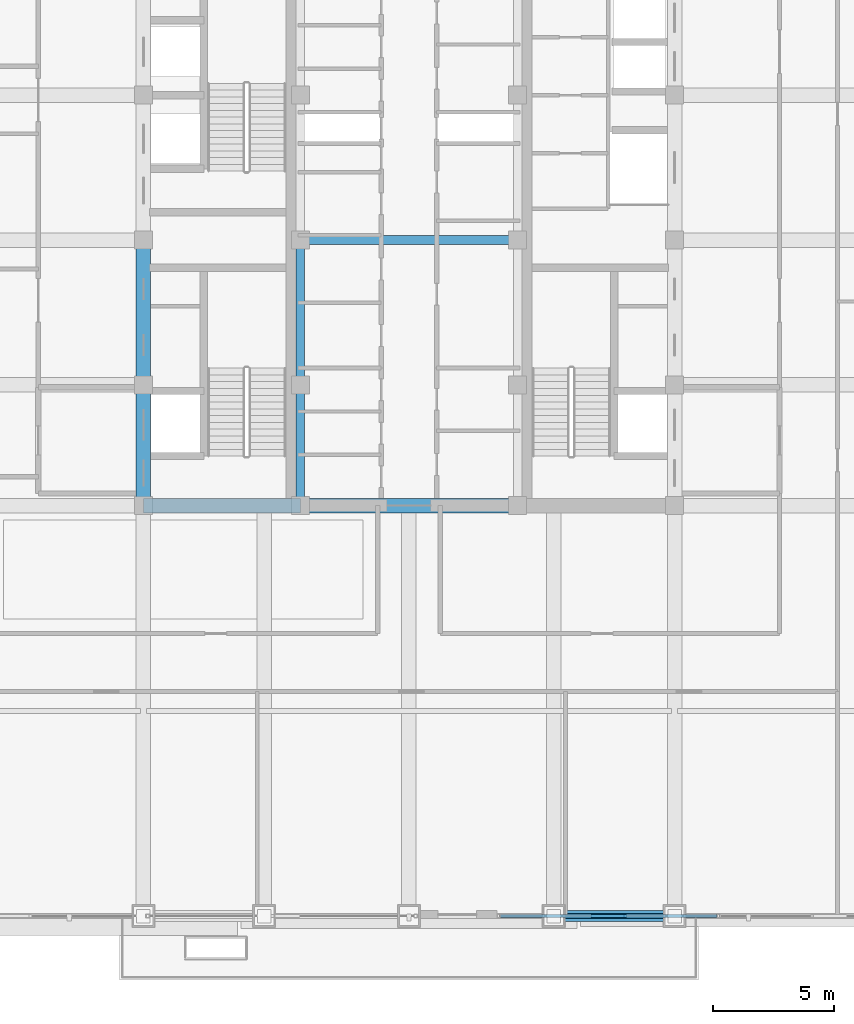
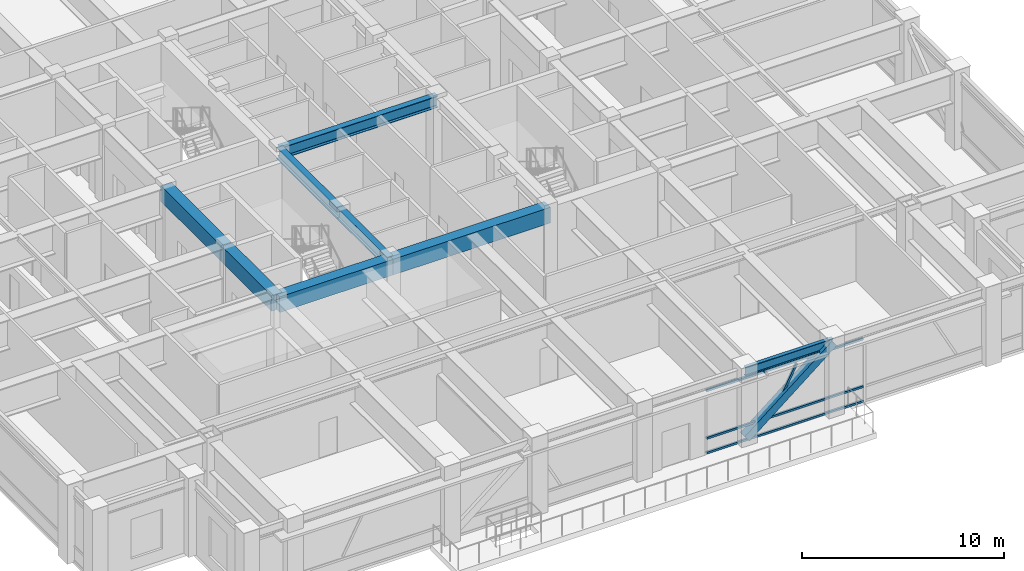
# One storey, part 7 of 31: 8 beams, 5 members, 1 element without a shape of its own.
"""IFC4 building model written with IfcOpenShell, lengths in metres."""

from ifc_helpers import new_model, si_unit, direction, frame, origin, origin_2d, place, context, subcontext, project, spatial, rectangle, hollow_rectangle, i_section, extrude, source, transform, mapped, material, material_profile, profile_set, type_object, element, aggregate, save


model = new_model("IFC4")

# Units and contexts
model_context = context("Model", 3, precision=1e-05, world=origin(), true_north=direction((0.0, 1.0)))
body_context = subcontext(model_context, "Body", "Model", "MODEL_VIEW")
ifc_project = project(units=[si_unit("LENGTHUNIT", "METRE"), si_unit("AREAUNIT", "SQUARE_METRE"), si_unit("VOLUMEUNIT", "CUBIC_METRE"), si_unit("PLANEANGLEUNIT", "RADIAN"), si_unit("MASSUNIT", "GRAM", prefix="KILO")], contexts=[model_context])

# Site, building, storey
site_placement = place(None, origin())
site = spatial("IfcSite", under=ifc_project, at=site_placement, CompositionType="ELEMENT")
building_placement = place(site_placement, origin())
building = spatial("IfcBuilding", under=site, at=building_placement, Name="Khorayat Bourse Tower", CompositionType="ELEMENT")
storey_placement = place(building_placement, frame((0.0, 0.0, 321.5)))
storey = spatial("IfcBuildingStorey", under=building, at=storey_placement, Name="L76", CompositionType="ELEMENT", Elevation=321.5)

# Beams
ifc_material_1 = material(Name="Steel ASTM A992 Grade 50", Category="steel")
ifc_material_profile_1 = material_profile(ifc_material_1, i_section(OverallWidth=0.35498046875, OverallDepth=0.695068359375, WebThickness=0.015380859375, FlangeThickness=0.02490234375, FilletRadius=0.01806640625, at=origin_2d()), Name="W690X217")
ifc_profile_set_1 = profile_set([ifc_material_profile_1], Name="Steel ASTM A992 Grade 50")
beam_type_1 = type_object("IfcBeamType", Name="BM-GIRD-690", PredefinedType="BEAM", material=ifc_profile_set_1)
shared_shape_1 = source(origin(), body_context, "Body", "SweptSolid", [
    extrude(i_section(OverallWidth=0.35498046875, OverallDepth=0.695068359375, WebThickness=0.015380859375, FlangeThickness=0.02490234375, FilletRadius=0.01806640625, at=origin_2d()), origin(), (0.0, 0.0, 1.0), 5.0),
])
beam_1_placement = place(storey_placement, frame((-4.5, -11.0, 4.1923828125), z_axis=(0.0, 1.0, 0.0), x_axis=(-1.0, 0.0, 0.0)))
element("IfcBeam", 1, at=beam_1_placement, inside=storey, type_object=beam_type_1, Name="L76 BM-GIRD-690 BM-L76-CRX-05", PredefinedType="BEAM", context=body_context, shape_type="MappedRepresentation", body=[
    mapped(shared_shape_1, transform((0.0, 0.0, 0.0), scale=1.0)),
])
shared_shape_2 = source(origin(), body_context, "Body", "SweptSolid", [
    extrude(i_section(OverallWidth=0.35498046875, OverallDepth=0.695068359375, WebThickness=0.015380859375, FlangeThickness=0.02490234375, FilletRadius=0.01806640625, at=origin_2d()), origin(), (0.0, 0.0, 1.0), 6.0),
])
beam_2_placement = place(storey_placement, frame((-4.5, -6.0, 4.1923828125), z_axis=(0.0, 1.0, 0.0), x_axis=(-1.0, 0.0, 0.0)))
element("IfcBeam", 2, at=beam_2_placement, inside=storey, type_object=beam_type_1, Name="L76 BM-GIRD-690 BM-L76-CRX-06", PredefinedType="BEAM", context=body_context, shape_type="MappedRepresentation", body=[
    mapped(shared_shape_2, transform((0.0, 0.0, 0.0), scale=1.0)),
])
shared_shape_3 = source(origin(), body_context, "Body", "SweptSolid", [
    extrude(i_section(OverallWidth=0.35498046875, OverallDepth=0.695068359375, WebThickness=0.015380859375, FlangeThickness=0.02490234375, FilletRadius=0.01806640625, at=origin_2d()), origin(), (0.0, 0.0, 1.0), 9.0),
])
beam_3_placement = place(storey_placement, frame((-4.5, 0.0, 4.1923828125), z_axis=(1.0, 0.0, 0.0), x_axis=(0.0, 1.0, 0.0)))
element("IfcBeam", 3, at=beam_3_placement, inside=storey, type_object=beam_type_1, Name="L76 BM-GIRD-690 BM-L76-CRY-23", PredefinedType="BEAM", context=body_context, shape_type="MappedRepresentation", body=[
    mapped(shared_shape_3, transform((0.0, 0.0, 0.0), scale=1.0)),
])
ifc_material_2 = material(Name="Concrete C60/75", Category="concrete")
ifc_material_profile_2 = material_profile(ifc_material_2, rectangle(XDim=0.60009765625, YDim=0.949951171875, at=origin_2d()), Name="RC 600x950")
ifc_profile_set_2 = profile_set([ifc_material_profile_2], Name="Concrete C60/75")
beam_type_2 = type_object("IfcBeamType", Name="BM-COUP-950", PredefinedType="BEAM", material=ifc_profile_set_2)
shared_shape_4 = source(origin(), body_context, "Body", "SweptSolid", [
    extrude(rectangle(XDim=0.60009765625, YDim=0.949951171875, at=origin_2d()), origin(), (0.0, 0.0, 1.0), 5.0),
])
beam_4_placement = place(storey_placement, frame((-11.0, -11.0, 4.06494140625), z_axis=(0.0, 1.0, 0.0), x_axis=(-1.0, 0.0, 0.0)))
element("IfcBeam", 4, at=beam_4_placement, inside=storey, type_object=beam_type_2, Name="L76 BM-COUP-950 BM-L76-CRX-01", PredefinedType="BEAM", context=body_context, shape_type="MappedRepresentation", body=[
    mapped(shared_shape_4, transform((0.0, 0.0, 0.0), scale=1.0)),
])
shared_shape_5 = source(origin(), body_context, "Body", "SweptSolid", [
    extrude(rectangle(XDim=0.60009765625, YDim=0.949951171875, at=origin_2d()), origin(), (0.0, 0.0, 1.0), 6.0),
])
beam_5_placement = place(storey_placement, frame((-11.0, -6.0, 4.06494140625), z_axis=(0.0, 1.0, 0.0), x_axis=(-1.0, 0.0, 0.0)))
element("IfcBeam", 5, at=beam_5_placement, inside=storey, type_object=beam_type_2, Name="L76 BM-COUP-950 BM-L76-CRX-02", PredefinedType="BEAM", context=body_context, shape_type="MappedRepresentation", body=[
    mapped(shared_shape_5, transform((0.0, 0.0, 0.0), scale=1.0)),
])
shared_shape_6 = source(origin(), body_context, "Body", "SweptSolid", [
    extrude(rectangle(XDim=0.60009765625, YDim=0.949951171875, at=origin_2d()), origin(), (0.0, 0.0, 1.0), 6.5),
])
beam_6_placement = place(storey_placement, frame((-11.0, -11.0, 4.06494140625), z_axis=(1.0, 0.0, 0.0), x_axis=(0.0, 1.0, 0.0)))
element("IfcBeam", 6, at=beam_6_placement, inside=storey, type_object=beam_type_2, Name="L76 BM-COUP-950 BM-L76-CRY-17", PredefinedType="BEAM", context=body_context, shape_type="MappedRepresentation", body=[
    mapped(shared_shape_6, transform((0.0, 0.0, 0.0), scale=1.0)),
])
shared_shape_7 = source(origin(), body_context, "Body", "SweptSolid", [
    extrude(rectangle(XDim=0.60009765625, YDim=0.949951171875, at=origin_2d()), origin(), (0.0, 0.0, 1.0), 9.0),
])
beam_7_placement = place(storey_placement, frame((-4.5, -11.0, 4.06494140625), z_axis=(1.0, 0.0, 0.0), x_axis=(0.0, 1.0, 0.0)))
element("IfcBeam", 7, at=beam_7_placement, inside=storey, type_object=beam_type_2, Name="L76 BM-COUP-950 BM-L76-CRY-18", PredefinedType="BEAM", context=body_context, shape_type="MappedRepresentation", body=[
    mapped(shared_shape_7, transform((0.0, 0.0, 0.0), scale=1.0)),
])
ifc_material_profile_3 = material_profile(ifc_material_1, i_section(OverallWidth=0.214111328125, OverallDepth=0.549072265625, WebThickness=0.0146484375, FlangeThickness=0.023681640625, FilletRadius=0.013916015625, at=origin_2d()), Name="W530X138")
ifc_profile_set_3 = profile_set([ifc_material_profile_3], Name="Steel ASTM A992 Grade 50")
beam_type_3 = type_object("IfcBeamType", Name="BM-SPAN-530", PredefinedType="SPANDREL", material=ifc_profile_set_3)
shared_shape_8 = source(origin(), body_context, "Body", "SweptSolid", [
    extrude(i_section(OverallWidth=0.214111328125, OverallDepth=0.549072265625, WebThickness=0.0146484375, FlangeThickness=0.023681640625, FilletRadius=0.013916015625, at=origin_2d()), origin(), (0.0, 0.0, 1.0), 5.0),
])
beam_8_placement = place(storey_placement, frame((6.0, -28.0, 4.2255859375), z_axis=(1.0, 0.0, 0.0), x_axis=(0.0, 1.0, 0.0)))
element("IfcBeam", 8, at=beam_8_placement, inside=storey, type_object=beam_type_3, Name="L76 BM-SPAN-530 BM-L76-SPN-029", PredefinedType="SPANDREL", context=body_context, shape_type="MappedRepresentation", body=[
    mapped(shared_shape_8, transform((0.0, 0.0, 0.0), scale=1.0)),
])

# Member
ifc_material_3 = material(Name="Steel EN 10025-4 S460M", Category="steel")
ifc_material_profile_4 = material_profile(ifc_material_3, hollow_rectangle(XDim=0.449951171875, YDim=0.449951171875, WallThickness=0.02490234375, at=origin_2d()), Name="HSS 450x450x25")
ifc_profile_set_4 = profile_set([ifc_material_profile_4], Name="Steel EN 10025-4 S460M")
member_type_1 = type_object("IfcMemberType", Name="MBR-TUBE-450", PredefinedType="BRACE", material=ifc_profile_set_4)
shared_shape_9 = source(origin(), body_context, "Body", "SweptSolid", [
    extrude(hollow_rectangle(XDim=0.449951171875, YDim=0.449951171875, WallThickness=0.02490234375, at=origin_2d()), origin(), (0.0, 0.0, 1.0), 6.42822265625),
])
member_1_placement = place(storey_placement, frame((6.0, -28.0, 0.25), z_axis=(0.777821209127, 0.0, 0.628485613703), x_axis=(0.0, 1.0, 0.0)))
element("IfcMember", 9, at=member_1_placement, inside=storey, type_object=member_type_1, Name="L76 Perimeter Tube Brace 02", PredefinedType="BRACE", context=body_context, shape_type="MappedRepresentation", body=[
    mapped(shared_shape_9, transform((0.0, 0.0, 0.0), scale=1.0)),
])

# Curtain wall, members
ifc_material_4 = material(Name="Aluminium EN AW-6063 T6", Category="aluminium")
curtain_wall_type = type_object("IfcCurtainWallType", Name="CW-SYS-05", PredefinedType="NOTDEFINED", material=ifc_material_4)
curtain_wall_placement = place(storey_placement, origin())
curtain_wall = element("IfcCurtainWall", 10, at=curtain_wall_placement, inside=storey, type_object=curtain_wall_type, Name="L76 Curtain Wall CW-L76-S2", PredefinedType="NOTDEFINED")
ifc_material_profile_5 = material_profile(ifc_material_4, hollow_rectangle(XDim=0.1201171875, YDim=0.1201171875, WallThickness=0.0048828125, at=origin_2d()), Name="ALU 120x120x5")
ifc_profile_set_5 = profile_set([ifc_material_profile_5], Name="Aluminium EN AW-6063 T6")
member_type_2 = type_object("IfcMemberType", Name="CWM-DIAG-120", PredefinedType="MULLION", material=ifc_profile_set_5)
shared_shape_10 = source(origin(), body_context, "Body", "SweptSolid", [
    extrude(hollow_rectangle(XDim=0.1201171875, YDim=0.1201171875, WallThickness=0.0048828125, at=origin_2d()), origin(), (0.0, 0.0, 1.0), 2.93798828125),
])
member_2_placement = place(storey_placement, frame((7.58837890625, -28.0, 1.090087890625), z_axis=(0.465763557035, 0.0, 0.884909209432), x_axis=(0.0, 1.0, 0.0)))
member_2 = element("IfcMember", 11, at=member_2_placement, type_object=member_type_2, Name="CW-L76-S2 Faceted Diagonal Mullion 1", PredefinedType="MULLION", context=body_context, shape_type="MappedRepresentation", body=[
    mapped(shared_shape_10, transform((0.0, 0.0, 0.0), scale=1.0)),
])
ifc_material_profile_6 = material_profile(ifc_material_4, hollow_rectangle(XDim=0.1201171875, YDim=0.1201171875, WallThickness=0.0048828125, at=origin_2d()), Name="ALU 120x120x5")
ifc_profile_set_6 = profile_set([ifc_material_profile_6], Name="Aluminium EN AW-6063 T6")
member_type_3 = type_object("IfcMemberType", Name="CWT-HORZ-120", PredefinedType="USERDEFINED", material=ifc_profile_set_6)
shared_shape_11 = source(origin(), body_context, "Body", "SweptSolid", [
    extrude(hollow_rectangle(XDim=0.1201171875, YDim=0.1201171875, WallThickness=0.0048828125, at=origin_2d()), origin(), (0.0, 0.0, 1.0), 8.96484375),
])
member_3_placement = place(storey_placement, frame((3.7900390625, -28.0, 0.06005859375), z_axis=(1.0, 0.0, 0.0), x_axis=(0.0, 1.0, 0.0)))
member_3 = element("IfcMember", 12, at=member_3_placement, type_object=member_type_3, Name="CW-L76-S2 Horizontal Transom 1-1", ObjectType="TRANSOM", PredefinedType="USERDEFINED", context=body_context, shape_type="MappedRepresentation", body=[
    mapped(shared_shape_11, transform((0.0, 0.0, 0.0), scale=1.0)),
])
member_4_placement = place(storey_placement, frame((3.7900390625, -28.0, 0.949951171875), z_axis=(1.0, 0.0, 0.0), x_axis=(0.0, 1.0, 0.0)))
member_4 = element("IfcMember", 13, at=member_4_placement, type_object=member_type_3, Name="CW-L76-S2 Horizontal Transom 1-2", ObjectType="TRANSOM", PredefinedType="USERDEFINED", context=body_context, shape_type="MappedRepresentation", body=[
    mapped(shared_shape_11, transform((0.0, 0.0, 0.0), scale=1.0)),
])
member_5_placement = place(storey_placement, frame((3.7900390625, -28.0, 3.830078125), z_axis=(1.0, 0.0, 0.0), x_axis=(0.0, 1.0, 0.0)))
member_5 = element("IfcMember", 14, at=member_5_placement, type_object=member_type_3, Name="CW-L76-S2 Horizontal Transom 1-3", ObjectType="TRANSOM", PredefinedType="USERDEFINED", context=body_context, shape_type="MappedRepresentation", body=[
    mapped(shared_shape_11, transform((0.0, 0.0, 0.0), scale=1.0)),
])
aggregate(curtain_wall, [member_3, member_4, member_5, member_2])

save(model, "model.ifc")
